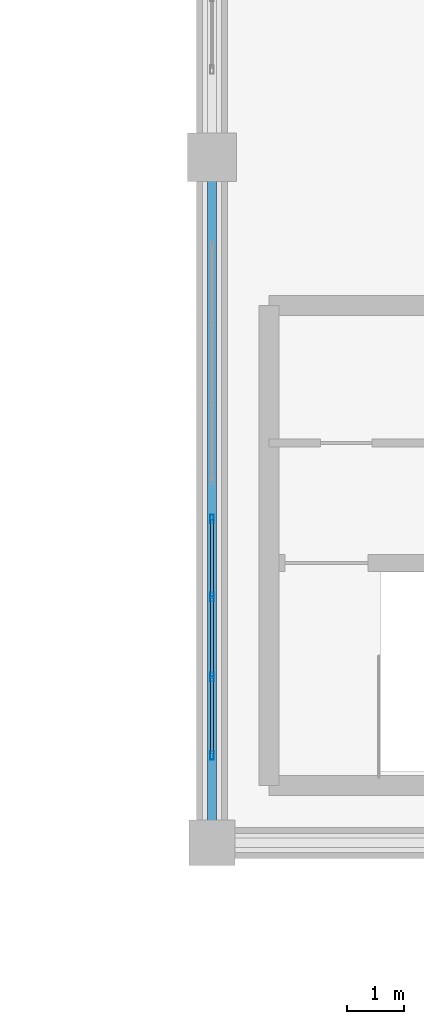
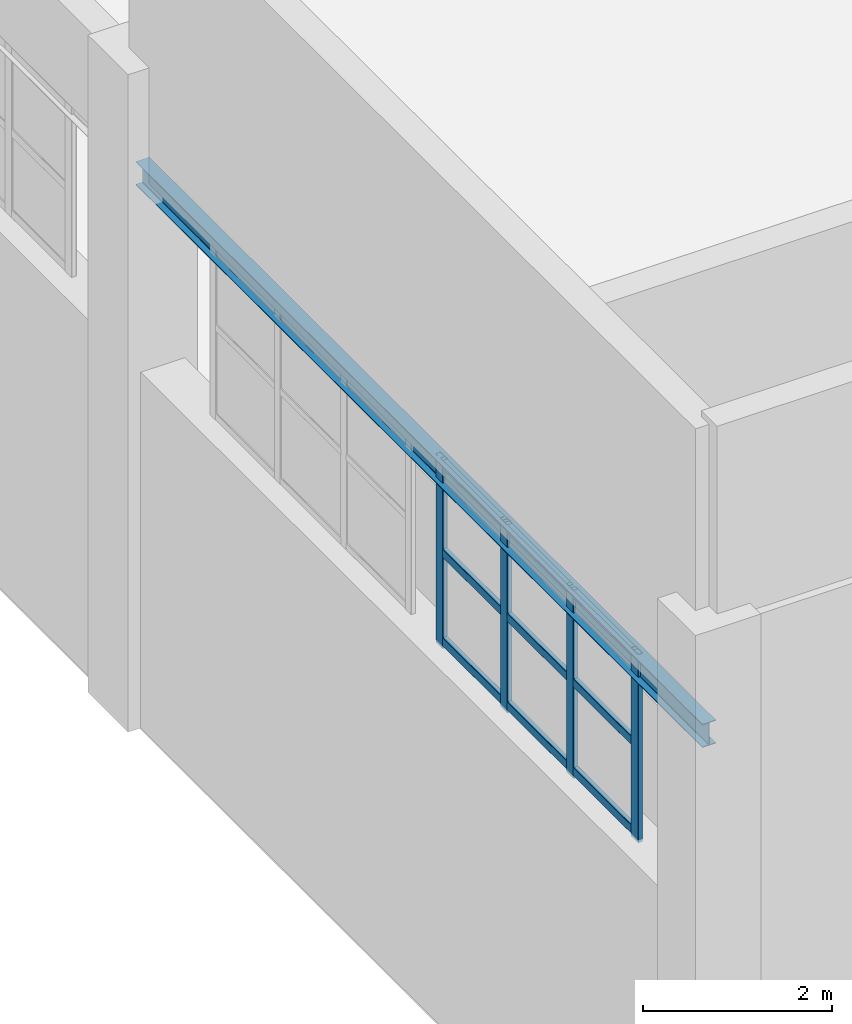
# One storey, part 15 of 97: 13 members, 1 beam, 1 element without a shape of its own.
"""IFC4 building model written with IfcOpenShell, lengths in metres."""

from ifc_helpers import new_model, si_unit, derived_unit, direction, frame, origin, origin_2d, place, context, subcontext, project, spatial, hollow_rectangle, i_section, extrude, material, layer, layer_set, material_profile, profile_set, type_object, element, aggregate, save


model = new_model("IFC4")

# Units and contexts
model_context = context("Model", 3, precision=1e-05, world=origin(), true_north=direction((0.0, 1.0)))
body_context = subcontext(model_context, "Body", "Model", "MODEL_VIEW")
ifc_project = project(units=[si_unit("LENGTHUNIT", "METRE"), si_unit("AREAUNIT", "SQUARE_METRE"), si_unit("VOLUMEUNIT", "CUBIC_METRE"), si_unit("PLANEANGLEUNIT", "RADIAN"), si_unit("MASSUNIT", "GRAM", prefix="KILO"), derived_unit("THERMALTRANSMITTANCEUNIT", [(si_unit("POWERUNIT", "WATT"), 1), (si_unit("LENGTHUNIT", "METRE"), -2), (si_unit("THERMODYNAMICTEMPERATUREUNIT", "KELVIN"), -1)])], contexts=[model_context])

# Site, building, storey
site_placement = place(None, origin())
site = spatial("IfcSite", under=ifc_project, at=site_placement, CompositionType="ELEMENT")
building_placement = place(site_placement, origin())
building = spatial("IfcBuilding", under=site, at=building_placement, Name="Almenara Railside Exhibition Hall", CompositionType="ELEMENT")
storey_placement = place(building_placement, frame((0.0, 0.0, 10.800048828125)))
storey = spatial("IfcBuildingStorey", under=building, at=storey_placement, Name="L02", CompositionType="ELEMENT", Elevation=10.800048828125)

# Curtain wall, members
ifc_material_1 = material(Name="Bronze-anodised aluminium and low-E double glazing", Category="aluminium")
ifc_layer = layer(ifc_material_1, 0.179931640625, Name="Bronze-anodised aluminium and low-E double glazing")
ifc_layer_set = layer_set([ifc_layer], Name="Bronze-anodised aluminium and low-E double glazing")
curtain_wall_type = type_object("IfcCurtainWallType", Name="West Hall Clerestory Curtain Wall 4200x2400", PredefinedType="NOTDEFINED", material=ifc_layer_set)
curtain_wall_placement = place(storey_placement, origin())
curtain_wall = element("IfcCurtainWall", 1, at=curtain_wall_placement, inside=storey, type_object=curtain_wall_type, Name="Curtain wall CW-CL1-001", PredefinedType="NOTDEFINED")
ifc_material_2 = material(Name="Bronze-anodised aluminium", Category="aluminium")
ifc_material_profile_1 = material_profile(ifc_material_2, hollow_rectangle(XDim=0.06005859375, YDim=0.14990234375, WallThickness=0.00341796875, InnerFilletRadius=0.00341796875, OuterFilletRadius=0.007080078125, at=origin_2d()), Name="ALU-MUL 60x150x3.5")
ifc_profile_set_1 = profile_set([ifc_material_profile_1], Name="Bronze-anodised aluminium")
member_type_1 = type_object("IfcMemberType", Name="Curtain Wall Mullion 60x150x3.5", PredefinedType="MULLION", material=ifc_profile_set_1)
member_1_placement = place(storey_placement, frame((12.0, 49.530029296875, 4.56494140625), z_axis=(0.0, 0.0, 1.0), x_axis=(-1.0, 0.0, 0.0)))
member_1 = element("IfcMember", 2, at=member_1_placement, type_object=member_type_1, Name="CW-CL1-001 mullion 1", PredefinedType="MULLION", context=body_context, shape_type="SweptSolid", body=[
    extrude(hollow_rectangle(XDim=0.06005859375, YDim=0.14990234375, WallThickness=0.00341796875, InnerFilletRadius=0.00341796875, OuterFilletRadius=0.007080078125, at=origin_2d()), origin(), (0.0, 0.0, 1.0), 2.43505859375),
])
member_2_placement = place(storey_placement, frame((12.0, 50.89990234375, 4.56494140625), z_axis=(0.0, 0.0, 1.0), x_axis=(-1.0, 0.0, 0.0)))
member_2 = element("IfcMember", 3, at=member_2_placement, type_object=member_type_1, Name="CW-CL1-001 mullion 2", PredefinedType="MULLION", context=body_context, shape_type="SweptSolid", body=[
    extrude(hollow_rectangle(XDim=0.06005859375, YDim=0.14990234375, WallThickness=0.00341796875, InnerFilletRadius=0.00341796875, OuterFilletRadius=0.007080078125, at=origin_2d()), origin(), (0.0, 0.0, 1.0), 2.43505859375),
])
member_3_placement = place(storey_placement, frame((12.0, 52.300048828125, 4.56494140625), z_axis=(0.0, 0.0, 1.0), x_axis=(-1.0, 0.0, 0.0)))
member_3 = element("IfcMember", 4, at=member_3_placement, type_object=member_type_1, Name="CW-CL1-001 mullion 3", PredefinedType="MULLION", context=body_context, shape_type="SweptSolid", body=[
    extrude(hollow_rectangle(XDim=0.06005859375, YDim=0.14990234375, WallThickness=0.00341796875, InnerFilletRadius=0.00341796875, OuterFilletRadius=0.007080078125, at=origin_2d()), origin(), (0.0, 0.0, 1.0), 2.43505859375),
])
member_4_placement = place(storey_placement, frame((12.0, 53.669921875, 4.56494140625), z_axis=(0.0, 0.0, 1.0), x_axis=(-1.0, 0.0, 0.0)))
member_4 = element("IfcMember", 5, at=member_4_placement, type_object=member_type_1, Name="CW-CL1-001 mullion 4", PredefinedType="MULLION", context=body_context, shape_type="SweptSolid", body=[
    extrude(hollow_rectangle(XDim=0.06005859375, YDim=0.14990234375, WallThickness=0.00341796875, InnerFilletRadius=0.00341796875, OuterFilletRadius=0.007080078125, at=origin_2d()), origin(), (0.0, 0.0, 1.0), 2.43505859375),
])
ifc_material_profile_2 = material_profile(ifc_material_2, hollow_rectangle(XDim=0.06005859375, YDim=0.110107421875, WallThickness=0.0029296875, InnerFilletRadius=0.0029296875, OuterFilletRadius=0.006103515625, at=origin_2d()), Name="ALU-TRN 60x110x3")
ifc_profile_set_2 = profile_set([ifc_material_profile_2], Name="Bronze-anodised aluminium")
member_type_2 = type_object("IfcMemberType", Name="Curtain Wall Transom 60x110x3", PredefinedType="USERDEFINED", material=ifc_profile_set_2)
member_5_placement = place(storey_placement, frame((12.0, 49.552001953125, 4.655029296875), z_axis=(0.0, 1.0, 0.0), x_axis=(-1.0, 0.0, 0.0)))
member_5 = element("IfcMember", 6, at=member_5_placement, type_object=member_type_2, Name="CW-CL1-001 transom 1.1", ObjectType="TRANSOM", PredefinedType="USERDEFINED", context=body_context, shape_type="SweptSolid", body=[
    extrude(hollow_rectangle(XDim=0.06005859375, YDim=0.110107421875, WallThickness=0.0029296875, InnerFilletRadius=0.0029296875, OuterFilletRadius=0.006103515625, at=origin_2d()), origin(), (0.0, 0.0, 1.0), 1.325927734375),
])
member_6_placement = place(storey_placement, frame((12.0, 49.552001953125, 5.800048828125), z_axis=(0.0, 1.0, 0.0), x_axis=(-1.0, 0.0, 0.0)))
member_6 = element("IfcMember", 7, at=member_6_placement, type_object=member_type_2, Name="CW-CL1-001 transom 1.2", ObjectType="TRANSOM", PredefinedType="USERDEFINED", context=body_context, shape_type="SweptSolid", body=[
    extrude(hollow_rectangle(XDim=0.06005859375, YDim=0.110107421875, WallThickness=0.0029296875, InnerFilletRadius=0.0029296875, OuterFilletRadius=0.006103515625, at=origin_2d()), origin(), (0.0, 0.0, 1.0), 1.325927734375),
])
member_7_placement = place(storey_placement, frame((12.0, 49.552001953125, 6.945068359375), z_axis=(0.0, 1.0, 0.0), x_axis=(-1.0, 0.0, 0.0)))
member_7 = element("IfcMember", 8, at=member_7_placement, type_object=member_type_2, Name="CW-CL1-001 transom 1.3", ObjectType="TRANSOM", PredefinedType="USERDEFINED", context=body_context, shape_type="SweptSolid", body=[
    extrude(hollow_rectangle(XDim=0.06005859375, YDim=0.110107421875, WallThickness=0.0029296875, InnerFilletRadius=0.0029296875, OuterFilletRadius=0.006103515625, at=origin_2d()), origin(), (0.0, 0.0, 1.0), 1.325927734375),
])
member_8_placement = place(storey_placement, frame((12.0, 50.922119140625, 4.655029296875), z_axis=(0.0, 1.0, 0.0), x_axis=(-1.0, 0.0, 0.0)))
member_8 = element("IfcMember", 9, at=member_8_placement, type_object=member_type_2, Name="CW-CL1-001 transom 2.1", ObjectType="TRANSOM", PredefinedType="USERDEFINED", context=body_context, shape_type="SweptSolid", body=[
    extrude(hollow_rectangle(XDim=0.06005859375, YDim=0.110107421875, WallThickness=0.0029296875, InnerFilletRadius=0.0029296875, OuterFilletRadius=0.006103515625, at=origin_2d()), origin(), (0.0, 0.0, 1.0), 1.35595703125),
])
member_9_placement = place(storey_placement, frame((12.0, 50.922119140625, 5.800048828125), z_axis=(0.0, 1.0, 0.0), x_axis=(-1.0, 0.0, 0.0)))
member_9 = element("IfcMember", 10, at=member_9_placement, type_object=member_type_2, Name="CW-CL1-001 transom 2.2", ObjectType="TRANSOM", PredefinedType="USERDEFINED", context=body_context, shape_type="SweptSolid", body=[
    extrude(hollow_rectangle(XDim=0.06005859375, YDim=0.110107421875, WallThickness=0.0029296875, InnerFilletRadius=0.0029296875, OuterFilletRadius=0.006103515625, at=origin_2d()), origin(), (0.0, 0.0, 1.0), 1.35595703125),
])
member_10_placement = place(storey_placement, frame((12.0, 50.922119140625, 6.945068359375), z_axis=(0.0, 1.0, 0.0), x_axis=(-1.0, 0.0, 0.0)))
member_10 = element("IfcMember", 11, at=member_10_placement, type_object=member_type_2, Name="CW-CL1-001 transom 2.3", ObjectType="TRANSOM", PredefinedType="USERDEFINED", context=body_context, shape_type="SweptSolid", body=[
    extrude(hollow_rectangle(XDim=0.06005859375, YDim=0.110107421875, WallThickness=0.0029296875, InnerFilletRadius=0.0029296875, OuterFilletRadius=0.006103515625, at=origin_2d()), origin(), (0.0, 0.0, 1.0), 1.35595703125),
])
member_11_placement = place(storey_placement, frame((12.0, 52.322021484375, 4.655029296875), z_axis=(0.0, 1.0, 0.0), x_axis=(-1.0, 0.0, 0.0)))
member_11 = element("IfcMember", 12, at=member_11_placement, type_object=member_type_2, Name="CW-CL1-001 transom 3.1", ObjectType="TRANSOM", PredefinedType="USERDEFINED", context=body_context, shape_type="SweptSolid", body=[
    extrude(hollow_rectangle(XDim=0.06005859375, YDim=0.110107421875, WallThickness=0.0029296875, InnerFilletRadius=0.0029296875, OuterFilletRadius=0.006103515625, at=origin_2d()), origin(), (0.0, 0.0, 1.0), 1.325927734375),
])
member_12_placement = place(storey_placement, frame((12.0, 52.322021484375, 5.800048828125), z_axis=(0.0, 1.0, 0.0), x_axis=(-1.0, 0.0, 0.0)))
member_12 = element("IfcMember", 13, at=member_12_placement, type_object=member_type_2, Name="CW-CL1-001 transom 3.2", ObjectType="TRANSOM", PredefinedType="USERDEFINED", context=body_context, shape_type="SweptSolid", body=[
    extrude(hollow_rectangle(XDim=0.06005859375, YDim=0.110107421875, WallThickness=0.0029296875, InnerFilletRadius=0.0029296875, OuterFilletRadius=0.006103515625, at=origin_2d()), origin(), (0.0, 0.0, 1.0), 1.325927734375),
])
member_13_placement = place(storey_placement, frame((12.0, 52.322021484375, 6.945068359375), z_axis=(0.0, 1.0, 0.0), x_axis=(-1.0, 0.0, 0.0)))
member_13 = element("IfcMember", 14, at=member_13_placement, type_object=member_type_2, Name="CW-CL1-001 transom 3.3", ObjectType="TRANSOM", PredefinedType="USERDEFINED", context=body_context, shape_type="SweptSolid", body=[
    extrude(hollow_rectangle(XDim=0.06005859375, YDim=0.110107421875, WallThickness=0.0029296875, InnerFilletRadius=0.0029296875, OuterFilletRadius=0.006103515625, at=origin_2d()), origin(), (0.0, 0.0, 1.0), 1.325927734375),
])
aggregate(curtain_wall, [member_1, member_2, member_3, member_4, member_5, member_6, member_7, member_8, member_9, member_10, member_11, member_12, member_13])

# Beam
ifc_material_3 = material(Name="Structural steel S355JR", Category="steel")
ifc_material_profile_3 = material_profile(ifc_material_3, i_section(OverallWidth=0.1650390625, OverallDepth=0.303466796875, WebThickness=0.006103515625, FlangeThickness=0.01025390625, FilletRadius=0.0087890625, at=origin_2d()), Name="UB 305x165x40")
ifc_profile_set_3 = profile_set([ifc_material_profile_3], Name="Structural steel S355JR")
beam_type = type_object("IfcBeamType", Name="Steel Canopy Edge Spandrel UB 305x165x40 S355JR", PredefinedType="SPANDREL", material=ifc_profile_set_3)
beam_placement = place(storey_placement, frame((12.0, 48.0, 6.84814453125), z_axis=(0.0, 1.0, 0.0), x_axis=(-1.0, 0.0, 0.0)))
element("IfcBeam", 15, at=beam_placement, inside=storey, type_object=beam_type, Name="BM-CRNLNT-V1-12-48", PredefinedType="SPANDREL", context=body_context, shape_type="SweptSolid", body=[
    extrude(i_section(OverallWidth=0.1650390625, OverallDepth=0.303466796875, WebThickness=0.006103515625, FlangeThickness=0.01025390625, FilletRadius=0.0087890625, at=origin_2d()), origin(), (0.0, 0.0, 1.0), 12.0),
])

save(model, "model.ifc")
